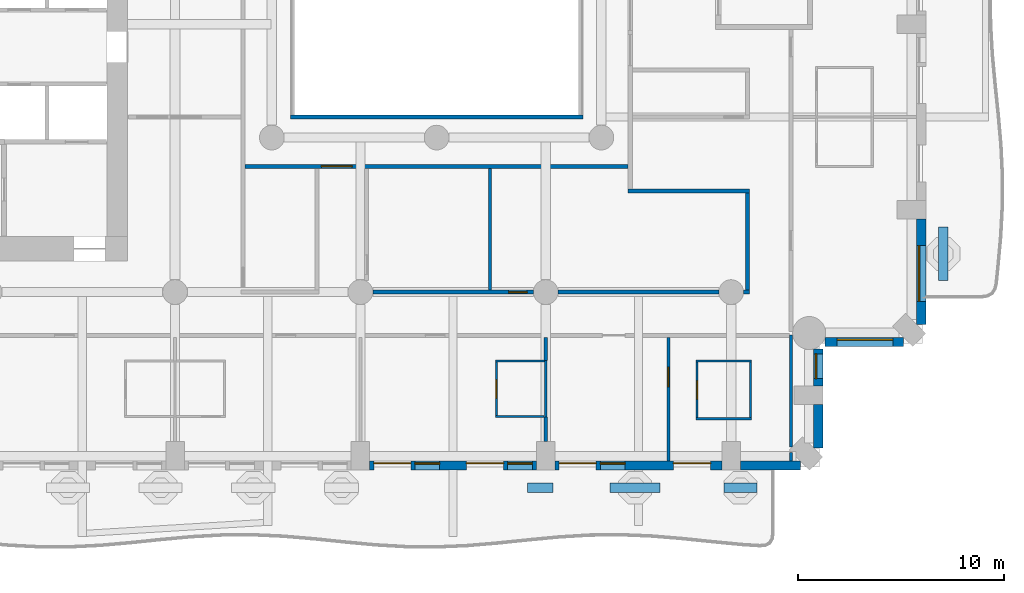
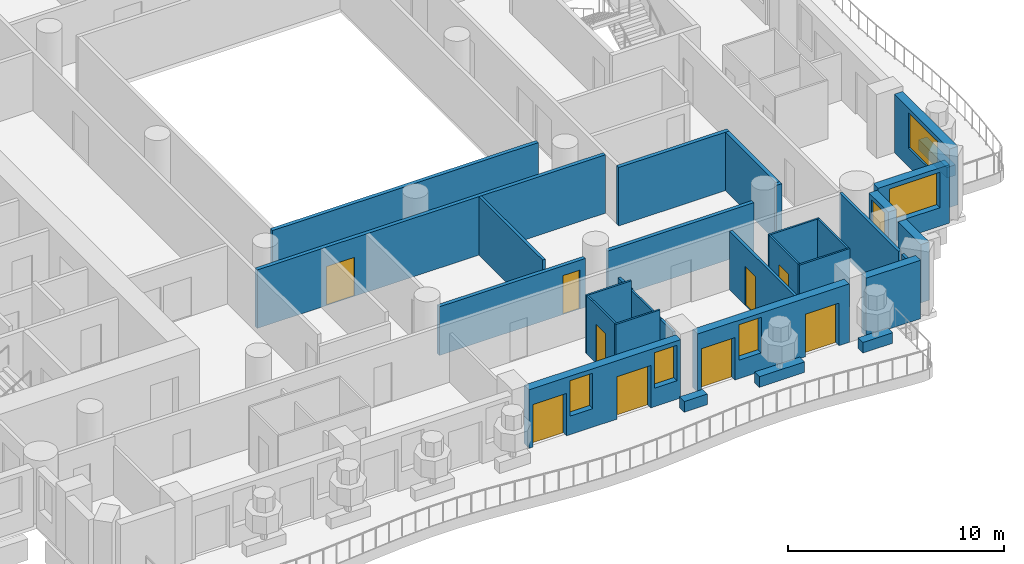
# One storey, part 5 of 19: 32 walls, 9 doors, 6 windows, 15 openings.
"""IFC4 building model written with IfcOpenShell, lengths in metres."""

from ifc_helpers import new_model, si_unit, direction, frame, frame_2d, origin, place, context, subcontext, project, spatial, rectangle, extrude, material, layer, layer_set, type_object, element, fill, save


model = new_model("IFC4")

# Units and contexts
model_context = context("Model", 3, precision=1e-05, world=origin(), true_north=direction((0.0, 1.0)))
body_context = subcontext(model_context, "Body", "Model", "MODEL_VIEW")
ifc_project = project(units=[si_unit("LENGTHUNIT", "METRE"), si_unit("AREAUNIT", "SQUARE_METRE"), si_unit("VOLUMEUNIT", "CUBIC_METRE"), si_unit("PLANEANGLEUNIT", "RADIAN"), si_unit("MASSUNIT", "GRAM", prefix="KILO")], contexts=[model_context])

# Site, building, storey
site_placement = place(None, origin())
site = spatial("IfcSite", under=ifc_project, at=site_placement, CompositionType="ELEMENT")
building_placement = place(site_placement, origin())
building = spatial("IfcBuilding", under=site, at=building_placement, Name="Cypress Arch Tower", CompositionType="ELEMENT")
storey_placement = place(building_placement, frame((0.0, 0.0, 69.89990234375)))
storey = spatial("IfcBuildingStorey", under=building, at=storey_placement, Name="L11", CompositionType="ELEMENT", Elevation=69.89990234375)

# Walls
ifc_material_1 = material(Name="Concrete C40/50, waterproofed", Category="concrete")
ifc_layer_1 = layer(ifc_material_1, 0.449951171875)
ifc_layer_set_1 = layer_set([ifc_layer_1], Name="Balcony planter wall PW450")
wall_type_1 = type_object("IfcWallType", Name="Balcony planter wall PW450", PredefinedType="SOLIDWALL", material=ifc_layer_set_1)
wall_1_placement = place(storey_placement, frame((5.419921875, -27.0, 0.0), z_axis=(0.0, 0.0, 1.0), x_axis=(1.0, 0.0, 0.0)))
element("IfcWall", 1, at=wall_1_placement, inside=storey, type_object=wall_type_1, Name="Balcony planter wall L11-A03.5", PredefinedType="SOLIDWALL", context=body_context, shape_type="SweptSolid", body=[
    extrude(rectangle(XDim=1.22998046875, YDim=0.449951171875, at=frame_2d((0.614990234375, 0.0))), origin(), (0.0, 0.0, 1.0), 0.60009765625),
])
wall_2_placement = place(storey_placement, frame((9.429931640625, -27.0, 0.0), z_axis=(0.0, 0.0, 1.0), x_axis=(1.0, 0.0, 0.0)))
element("IfcWall", 2, at=wall_2_placement, inside=storey, type_object=wall_type_1, Name="Balcony planter wall L11-A03.6", PredefinedType="SOLIDWALL", context=body_context, shape_type="SweptSolid", body=[
    extrude(rectangle(XDim=2.420166015625, YDim=0.449951171875, at=frame_2d((1.2099609375, 0.0))), origin(), (0.0, 0.0, 1.0), 0.60009765625),
])
wall_3_placement = place(storey_placement, frame((14.949951171875, -27.0, 0.0), z_axis=(0.0, 0.0, 1.0), x_axis=(1.0, 0.0, 0.0)))
element("IfcWall", 3, at=wall_3_placement, inside=storey, type_object=wall_type_1, Name="Balcony planter wall L11-A03.7", PredefinedType="SOLIDWALL", context=body_context, shape_type="SweptSolid", body=[
    extrude(rectangle(XDim=1.60009765625, YDim=0.449951171875, at=frame_2d((0.800048828125, 0.0))), origin(), (0.0, 0.0, 1.0), 0.60009765625),
])
wall_4_placement = place(storey_placement, frame((25.60009765625, -16.949951171875, 0.0), z_axis=(0.0, 0.0, 1.0), x_axis=(0.0, 1.0, 0.0)))
element("IfcWall", 4, at=wall_4_placement, inside=storey, type_object=wall_type_1, Name="Balcony planter wall L11-A06.1", PredefinedType="SOLIDWALL", context=body_context, shape_type="SweptSolid", body=[
    extrude(rectangle(XDim=2.6142578125, YDim=0.449951171875, at=frame_2d((1.30712890625, 0.0))), origin(), (0.0, 0.0, 1.0), 0.60009765625),
])

# Wall, openings, doors, windows
ifc_material_2 = material(Name="Brick (red buff blend)", Category="masonry")
ifc_layer_2 = layer(ifc_material_2, 0.449951171875)
ifc_layer_set_2 = layer_set([ifc_layer_2], Name="Brick pier and spandrel wall BW450")
wall_type_2 = type_object("IfcWallType", Name="Brick pier and spandrel wall BW450", PredefinedType="SOLIDWALL", material=ifc_layer_set_2)
wall_5_placement = place(storey_placement, frame((-2.25, -25.925048828125, 0.0), z_axis=(0.0, 0.0, 1.0), x_axis=(1.0, 0.0, 0.0)))
wall_5 = element("IfcWall", 5, at=wall_5_placement, inside=storey, type_object=wall_type_2, Name="Brick wall L11 A03.3", PredefinedType="SOLIDWALL", context=body_context, shape_type="SweptSolid", body=[
    extrude(rectangle(XDim=8.10009765625, YDim=0.449951171875, at=frame_2d((4.050048828125, 0.0))), origin(), (0.0, 0.0, 1.0), 3.300048828125),
])
opening_1_placement = place(wall_5_placement, frame((0.199951171875, 0.0, 0.0)))
opening_1 = element("IfcOpeningElement", 6, at=opening_1_placement, cuts=wall_5, Name="Opening D-L11-A03.3.1", PredefinedType="OPENING", context=body_context, shape_type="SweptSolid", body=[
    extrude(rectangle(XDim=1.800048828125, YDim=2.39990234375, at=frame_2d((0.89990234375, 1.199951171875))), frame((0.0, 0.23486328125, 0.0), z_axis=(0.0, -1.0, 0.0), x_axis=(1.0, 0.0, 0.0)), (0.0, 0.0, 1.0), 0.469970703125),
])
opening_2_placement = place(wall_5_placement, frame((2.199951171875, 0.0, 1.050048828125)))
opening_2 = element("IfcOpeningElement", 7, at=opening_2_placement, cuts=wall_5, Name="Opening W120HD", PredefinedType="OPENING", context=body_context, shape_type="SweptSolid", body=[
    extrude(rectangle(XDim=1.199951171875, YDim=2.0, at=frame_2d((0.60009765625, 1.0))), frame((0.0, 0.23486328125, 0.0), z_axis=(0.0, -1.0, 0.0), x_axis=(1.0, 0.0, 0.0)), (0.0, 0.0, 1.0), 0.469970703125),
])
opening_3_placement = place(wall_5_placement, frame((4.699951171875, 0.0, 0.0)))
opening_3 = element("IfcOpeningElement", 8, at=opening_3_placement, cuts=wall_5, Name="Opening D-L11-A03.3.2", PredefinedType="OPENING", context=body_context, shape_type="SweptSolid", body=[
    extrude(rectangle(XDim=1.800048828125, YDim=2.39990234375, at=frame_2d((0.89990234375, 1.199951171875))), frame((0.0, 0.23486328125, 0.0), z_axis=(0.0, -1.0, 0.0), x_axis=(1.0, 0.0, 0.0)), (0.0, 0.0, 1.0), 0.469970703125),
])
opening_4_placement = place(wall_5_placement, frame((6.699951171875, 0.0, 1.050048828125)))
opening_4 = element("IfcOpeningElement", 9, at=opening_4_placement, cuts=wall_5, Name="Opening W120HD", PredefinedType="OPENING", context=body_context, shape_type="SweptSolid", body=[
    extrude(rectangle(XDim=1.199951171875, YDim=2.0, at=frame_2d((0.60009765625, 1.0))), frame((0.0, 0.23486328125, 0.0), z_axis=(0.0, -1.0, 0.0), x_axis=(1.0, 0.0, 0.0)), (0.0, 0.0, 1.0), 0.469970703125),
])
ifc_material_3 = material(Name="Anodised aluminium, bronze finish, laminated low-emissivity double glazing, large-missile impact rated", Category="aluminium")
door_type_1 = type_object("IfcDoorType", Name="Balcony sliding door 1800x2400", OperationType="SLIDING_TO_LEFT", PredefinedType="DOOR", material=ifc_material_3)
door_1_placement = place(opening_1_placement, origin())
door_1 = element("IfcDoor", 10, at=door_1_placement, inside=storey, type_object=door_type_1, Name="Balcony door L11 A03.3.1", OperationType="SLIDING_TO_LEFT", OverallHeight=2.39990234375, OverallWidth=1.800048828125, PredefinedType="DOOR", context=body_context, shape_type="SweptSolid", body=[
    extrude(rectangle(XDim=1.800048828125, YDim=2.39990234375, at=frame_2d((0.89990234375, 1.199951171875))), frame((0.0, 0.1298828125, 0.0), z_axis=(0.0, -1.0, 0.0), x_axis=(1.0, 0.0, 0.0)), (0.0, 0.0, 1.0), 0.050048828125),
])
fill(opening_1, door_1)
door_2_placement = place(opening_3_placement, origin())
door_2 = element("IfcDoor", 11, at=door_2_placement, inside=storey, type_object=door_type_1, Name="Balcony door L11 A03.3.2", OperationType="SLIDING_TO_LEFT", OverallHeight=2.39990234375, OverallWidth=1.800048828125, PredefinedType="DOOR", context=body_context, shape_type="SweptSolid", body=[
    extrude(rectangle(XDim=1.800048828125, YDim=2.39990234375, at=frame_2d((0.89990234375, 1.199951171875))), frame((0.0, 0.1298828125, 0.0), z_axis=(0.0, -1.0, 0.0), x_axis=(1.0, 0.0, 0.0)), (0.0, 0.0, 1.0), 0.050048828125),
])
fill(opening_3, door_2)
ifc_material_4 = material(Name="Anodised aluminium, bronze finish, laminated low-emissivity double glazing, large-missile impact rated", Category="aluminium")
window_type_1 = type_object("IfcWindowType", Name="Window Hotel 1200x2000 debris-rated", PartitioningType="SINGLE_PANEL", PredefinedType="WINDOW", material=ifc_material_4)
window_1_placement = place(opening_2_placement, origin())
window_1 = element("IfcWindow", 12, at=window_1_placement, inside=storey, type_object=window_type_1, Name="Window L11 A03.3.1", OverallHeight=2.0, OverallWidth=1.199951171875, PartitioningType="SINGLE_PANEL", PredefinedType="WINDOW", context=body_context, shape_type="SweptSolid", body=[
    extrude(rectangle(XDim=1.199951171875, YDim=2.0, at=frame_2d((0.60009765625, 1.0))), frame((0.0, 0.135009765625, 0.0), z_axis=(0.0, -1.0, 0.0), x_axis=(1.0, 0.0, 0.0)), (0.0, 0.0, 1.0), 0.06005859375),
])
fill(opening_2, window_1)
window_2_placement = place(opening_4_placement, origin())
window_2 = element("IfcWindow", 13, at=window_2_placement, inside=storey, type_object=window_type_1, Name="Window L11 A03.3.2", OverallHeight=2.0, OverallWidth=1.199951171875, PartitioningType="SINGLE_PANEL", PredefinedType="WINDOW", context=body_context, shape_type="SweptSolid", body=[
    extrude(rectangle(XDim=1.199951171875, YDim=2.0, at=frame_2d((0.60009765625, 1.0))), frame((0.0, 0.135009765625, 0.0), z_axis=(0.0, -1.0, 0.0), x_axis=(1.0, 0.0, 0.0)), (0.0, 0.0, 1.0), 0.06005859375),
])
fill(opening_4, window_2)

# Wall, openings, doors, window
wall_6_placement = place(storey_placement, frame((6.75, -25.925048828125, 0.0), z_axis=(0.0, 0.0, 1.0), x_axis=(1.0, 0.0, 0.0)))
wall_6 = element("IfcWall", 14, at=wall_6_placement, inside=storey, type_object=wall_type_2, Name="Brick wall L11 A03.4", PredefinedType="SOLIDWALL", context=body_context, shape_type="SweptSolid", body=[
    extrude(rectangle(XDim=8.10009765625, YDim=0.449951171875, at=frame_2d((4.050048828125, 0.0))), origin(), (0.0, 0.0, 1.0), 3.300048828125),
])
opening_5_placement = place(wall_6_placement, frame((0.199951171875, 0.0, 0.0)))
opening_5 = element("IfcOpeningElement", 15, at=opening_5_placement, cuts=wall_6, Name="Opening D-L11-A03.4.1", PredefinedType="OPENING", context=body_context, shape_type="SweptSolid", body=[
    extrude(rectangle(XDim=1.800048828125, YDim=2.39990234375, at=frame_2d((0.89990234375, 1.199951171875))), frame((0.0, 0.23486328125, 0.0), z_axis=(0.0, -1.0, 0.0), x_axis=(1.0, 0.0, 0.0)), (0.0, 0.0, 1.0), 0.469970703125),
])
opening_6_placement = place(wall_6_placement, frame((2.199951171875, 0.0, 1.050048828125)))
opening_6 = element("IfcOpeningElement", 16, at=opening_6_placement, cuts=wall_6, Name="Opening W120HD", PredefinedType="OPENING", context=body_context, shape_type="SweptSolid", body=[
    extrude(rectangle(XDim=1.199951171875, YDim=2.0, at=frame_2d((0.60009765625, 1.0))), frame((0.0, 0.23486328125, 0.0), z_axis=(0.0, -1.0, 0.0), x_axis=(1.0, 0.0, 0.0)), (0.0, 0.0, 1.0), 0.469970703125),
])
opening_7_placement = place(wall_6_placement, frame((5.75, 0.0, 0.0)))
opening_7 = element("IfcOpeningElement", 17, at=opening_7_placement, cuts=wall_6, Name="Opening D-L11-A03.4.2", PredefinedType="OPENING", context=body_context, shape_type="SweptSolid", body=[
    extrude(rectangle(XDim=1.800048828125, YDim=2.39990234375, at=frame_2d((0.89990234375, 1.199951171875))), frame((0.0, 0.23486328125, 0.0), z_axis=(0.0, -1.0, 0.0), x_axis=(1.0, 0.0, 0.0)), (0.0, 0.0, 1.0), 0.469970703125),
])
door_3_placement = place(opening_5_placement, origin())
door_3 = element("IfcDoor", 18, at=door_3_placement, inside=storey, type_object=door_type_1, Name="Balcony door L11 A03.4.1", OperationType="SLIDING_TO_LEFT", OverallHeight=2.39990234375, OverallWidth=1.800048828125, PredefinedType="DOOR", context=body_context, shape_type="SweptSolid", body=[
    extrude(rectangle(XDim=1.800048828125, YDim=2.39990234375, at=frame_2d((0.89990234375, 1.199951171875))), frame((0.0, 0.1298828125, 0.0), z_axis=(0.0, -1.0, 0.0), x_axis=(1.0, 0.0, 0.0)), (0.0, 0.0, 1.0), 0.050048828125),
])
fill(opening_5, door_3)
door_4_placement = place(opening_7_placement, origin())
door_4 = element("IfcDoor", 19, at=door_4_placement, inside=storey, type_object=door_type_1, Name="Balcony door L11 A03.4.2", OperationType="SLIDING_TO_LEFT", OverallHeight=2.39990234375, OverallWidth=1.800048828125, PredefinedType="DOOR", context=body_context, shape_type="SweptSolid", body=[
    extrude(rectangle(XDim=1.800048828125, YDim=2.39990234375, at=frame_2d((0.89990234375, 1.199951171875))), frame((0.0, 0.1298828125, 0.0), z_axis=(0.0, -1.0, 0.0), x_axis=(1.0, 0.0, 0.0)), (0.0, 0.0, 1.0), 0.050048828125),
])
fill(opening_7, door_4)
window_3_placement = place(opening_6_placement, origin())
window_3 = element("IfcWindow", 20, at=window_3_placement, inside=storey, type_object=window_type_1, Name="Window L11 A03.4.1", OverallHeight=2.0, OverallWidth=1.199951171875, PartitioningType="SINGLE_PANEL", PredefinedType="WINDOW", context=body_context, shape_type="SweptSolid", body=[
    extrude(rectangle(XDim=1.199951171875, YDim=2.0, at=frame_2d((0.60009765625, 1.0))), frame((0.0, 0.135009765625, 0.0), z_axis=(0.0, -1.0, 0.0), x_axis=(1.0, 0.0, 0.0)), (0.0, 0.0, 1.0), 0.06005859375),
])
fill(opening_6, window_3)

# Walls
wall_7_placement = place(storey_placement, frame((15.75, -25.925048828125, 0.0), z_axis=(0.0, 0.0, 1.0), x_axis=(1.0, 0.0, 0.0)))
element("IfcWall", 21, at=wall_7_placement, inside=storey, type_object=wall_type_2, Name="Brick wall L11 A03.5", PredefinedType="SOLIDWALL", context=body_context, shape_type="SweptSolid", body=[
    extrude(rectangle(XDim=2.91357421875, YDim=0.449951171875, at=frame_2d((1.456787109375, 0.0))), origin(), (0.0, 0.0, 1.0), 3.300048828125),
])
wall_8_placement = place(storey_placement, frame((19.52490234375, -25.063720703125, 0.0), z_axis=(0.0, 0.0, 1.0), x_axis=(0.0, 1.0, 0.0)))
element("IfcWall", 22, at=wall_8_placement, inside=storey, type_object=wall_type_2, Name="Brick wall L11 A04.0", PredefinedType="SOLIDWALL", context=body_context, shape_type="SweptSolid", body=[
    extrude(rectangle(XDim=2.11376953125, YDim=0.449951171875, at=frame_2d((1.056884765625, 0.0))), origin(), (0.0, 0.0, 1.0), 3.300048828125),
])

# Wall, opening, window
wall_9_placement = place(storey_placement, frame((19.52490234375, -22.050048828125, 0.0), z_axis=(0.0, 0.0, 1.0), x_axis=(0.0, 1.0, 0.0)))
wall_9 = element("IfcWall", 23, at=wall_9_placement, inside=storey, type_object=wall_type_2, Name="Brick wall L11 A04.1", PredefinedType="SOLIDWALL", context=body_context, shape_type="SweptSolid", body=[
    extrude(rectangle(XDim=1.79150390625, YDim=0.449951171875, at=frame_2d((0.895751953125, 0.0))), origin(), (0.0, 0.0, 1.0), 3.300048828125),
])
opening_8_placement = place(wall_9_placement, frame((0.35009765625, 0.0, 1.050048828125)))
opening_8 = element("IfcOpeningElement", 24, at=opening_8_placement, cuts=wall_9, Name="Opening W120H", PredefinedType="OPENING", context=body_context, shape_type="SweptSolid", body=[
    extrude(rectangle(XDim=1.199951171875, YDim=2.0, at=frame_2d((0.60009765625, 1.0))), frame((0.0, 0.23486328125, 0.0), z_axis=(0.0, -1.0, 0.0), x_axis=(1.0, 0.0, 0.0)), (0.0, 0.0, 1.0), 0.469970703125),
])
ifc_material_5 = material(Name="Anodised aluminium, bronze finish, clear low-emissivity double glazing", Category="aluminium")
window_type_2 = type_object("IfcWindowType", Name="Window Hotel 1200x2000", PartitioningType="SINGLE_PANEL", PredefinedType="WINDOW", material=ifc_material_5)
window_4_placement = place(opening_8_placement, origin())
window_4 = element("IfcWindow", 25, at=window_4_placement, inside=storey, type_object=window_type_2, Name="Window L11 A04.1.1", OverallHeight=2.0, OverallWidth=1.199951171875, PartitioningType="SINGLE_PANEL", PredefinedType="WINDOW", context=body_context, shape_type="SweptSolid", body=[
    extrude(rectangle(XDim=1.199951171875, YDim=2.0, at=frame_2d((0.60009765625, 1.0))), frame((0.0, 0.135009765625, 0.0), z_axis=(0.0, -1.0, 0.0), x_axis=(1.0, 0.0, 0.0)), (0.0, 0.0, 1.0), 0.06005859375),
])
fill(opening_8, window_4)

wall_10_placement = place(storey_placement, frame((19.8583984375, -19.925048828125, 0.0), z_axis=(0.0, 0.0, 1.0), x_axis=(1.0, 0.0, 0.0)))
wall_10 = element("IfcWall", 26, at=wall_10_placement, inside=storey, type_object=wall_type_2, Name="Brick wall L11 A05.0", PredefinedType="SOLIDWALL", context=body_context, shape_type="SweptSolid", body=[
    extrude(rectangle(XDim=3.80517578125, YDim=0.449951171875, at=frame_2d((1.902587890625, 0.0))), origin(), (0.0, 0.0, 1.0), 3.300048828125),
])
opening_9_placement = place(wall_10_placement, frame((0.591552734375, 0.0, 1.050048828125)))
opening_9 = element("IfcOpeningElement", 27, at=opening_9_placement, cuts=wall_10, Name="Opening W270H", PredefinedType="OPENING", context=body_context, shape_type="SweptSolid", body=[
    extrude(rectangle(XDim=2.699951171875, YDim=2.0, at=frame_2d((1.35009765625, 1.0))), frame((0.0, 0.23486328125, 0.0), z_axis=(0.0, -1.0, 0.0), x_axis=(1.0, 0.0, 0.0)), (0.0, 0.0, 1.0), 0.469970703125),
])
ifc_material_6 = material(Name="Anodised aluminium, bronze finish, clear low-emissivity double glazing", Category="aluminium")
window_type_3 = type_object("IfcWindowType", Name="Window Hotel 2700x2000", PartitioningType="SINGLE_PANEL", PredefinedType="WINDOW", material=ifc_material_6)
window_5_placement = place(opening_9_placement, origin())
window_5 = element("IfcWindow", 28, at=window_5_placement, inside=storey, type_object=window_type_3, Name="Window L11 A05.0.1", OverallHeight=2.0, OverallWidth=2.699951171875, PartitioningType="SINGLE_PANEL", PredefinedType="WINDOW", context=body_context, shape_type="SweptSolid", body=[
    extrude(rectangle(XDim=2.699951171875, YDim=2.0, at=frame_2d((1.35009765625, 1.0))), frame((0.0, 0.135009765625, 0.0), z_axis=(0.0, -1.0, 0.0), x_axis=(1.0, 0.0, 0.0)), (0.0, 0.0, 1.0), 0.06005859375),
])
fill(opening_9, window_5)

wall_11_placement = place(storey_placement, frame((24.52490234375, -19.063720703125, 0.0), z_axis=(0.0, 0.0, 1.0), x_axis=(0.0, 1.0, 0.0)))
wall_11 = element("IfcWall", 29, at=wall_11_placement, inside=storey, type_object=wall_type_2, Name="Brick wall L11 A06.0", PredefinedType="SOLIDWALL", context=body_context, shape_type="SweptSolid", body=[
    extrude(rectangle(XDim=5.11376953125, YDim=0.449951171875, at=frame_2d((2.556884765625, 0.0))), origin(), (0.0, 0.0, 1.0), 3.300048828125),
])
opening_10_placement = place(wall_11_placement, frame((1.113525390625, 0.0, 1.050048828125)))
opening_10 = element("IfcOpeningElement", 30, at=opening_10_placement, cuts=wall_11, Name="Opening W270HD", PredefinedType="OPENING", context=body_context, shape_type="SweptSolid", body=[
    extrude(rectangle(XDim=2.699951171875, YDim=2.0, at=frame_2d((1.35009765625, 1.0))), frame((0.0, 0.23486328125, 0.0), z_axis=(0.0, -1.0, 0.0), x_axis=(1.0, 0.0, 0.0)), (0.0, 0.0, 1.0), 0.469970703125),
])
ifc_material_7 = material(Name="Anodised aluminium, bronze finish, laminated low-emissivity double glazing, large-missile impact rated", Category="aluminium")
window_type_4 = type_object("IfcWindowType", Name="Window Hotel 2700x2000 debris-rated", PartitioningType="SINGLE_PANEL", PredefinedType="WINDOW", material=ifc_material_7)
window_6_placement = place(opening_10_placement, origin())
window_6 = element("IfcWindow", 31, at=window_6_placement, inside=storey, type_object=window_type_4, Name="Window L11 A06.0.1", OverallHeight=2.0, OverallWidth=2.699951171875, PartitioningType="SINGLE_PANEL", PredefinedType="WINDOW", context=body_context, shape_type="SweptSolid", body=[
    extrude(rectangle(XDim=2.699951171875, YDim=2.0, at=frame_2d((1.35009765625, 1.0))), frame((0.0, 0.135009765625, 0.0), z_axis=(0.0, -1.0, 0.0), x_axis=(1.0, 0.0, 0.0)), (0.0, 0.0, 1.0), 0.06005859375),
])
fill(opening_10, window_6)

# Wall, opening, door
ifc_material_8 = material(Name="Concrete blockwork, plastered, rated", Category="masonry")
ifc_layer_3 = layer(ifc_material_8, 0.199951171875)
ifc_layer_set_3 = layer_set([ifc_layer_3], Name="Corridor wall FW200")
wall_type_3 = type_object("IfcWallType", Name="Corridor wall FW200", PredefinedType="PARTITIONING", material=ifc_layer_set_3)
wall_12_placement = place(storey_placement, frame((-8.300048828125, -11.39990234375, 0.0), z_axis=(0.0, 0.0, 1.0), x_axis=(1.0, 0.0, 0.0)))
wall_12 = element("IfcWall", 32, at=wall_12_placement, inside=storey, type_object=wall_type_3, Name="Corridor wall", PredefinedType="PARTITIONING", context=body_context, shape_type="SweptSolid", body=[
    extrude(rectangle(XDim=18.60009765625, YDim=0.199951171875, at=frame_2d((9.300048828125, 0.0))), origin(), (0.0, 0.0, 1.0), 3.300048828125),
])
opening_11_placement = place(wall_12_placement, frame((3.699951171875, 0.0, 0.0)))
opening_11 = element("IfcOpeningElement", 33, at=opening_11_placement, cuts=wall_12, Name="Opening D04", PredefinedType="OPENING", context=body_context, shape_type="SweptSolid", body=[
    extrude(rectangle(XDim=1.5, YDim=2.199951171875, at=frame_2d((0.75, 1.10009765625))), frame((0.0, 0.10986328125, 0.0), z_axis=(0.0, -1.0, 0.0), x_axis=(1.0, 0.0, 0.0)), (0.0, 0.0, 1.0), 0.219970703125),
])
ifc_material_9 = material(Name="Timber double door", Category="wood")
door_type_2 = type_object("IfcDoorType", Name="Double door D04 1500x2200", OperationType="DOUBLE_DOOR_SINGLE_SWING", PredefinedType="DOOR", material=ifc_material_9)
door_5_placement = place(opening_11_placement, origin())
door_5 = element("IfcDoor", 34, at=door_5_placement, inside=storey, type_object=door_type_2, Name="Double door", OperationType="DOUBLE_DOOR_SINGLE_SWING", OverallHeight=2.199951171875, OverallWidth=1.5, PredefinedType="DOOR", context=body_context, shape_type="SweptSolid", body=[
    extrude(rectangle(XDim=1.5, YDim=2.199951171875, at=frame_2d((0.75, 1.10009765625))), frame((0.0, 0.02490234375, 0.0), z_axis=(0.0, -1.0, 0.0), x_axis=(1.0, 0.0, 0.0)), (0.0, 0.0, 1.0), 0.050048828125),
])
fill(opening_11, door_5)

# Wall
wall_13_placement = place(storey_placement, frame((-6.10009765625, -9.0, 0.0), z_axis=(0.0, 0.0, 1.0), x_axis=(1.0, 0.0, 0.0)))
element("IfcWall", 35, at=wall_13_placement, inside=storey, type_object=wall_type_3, Name="Corridor wall", PredefinedType="PARTITIONING", context=body_context, shape_type="SweptSolid", body=[
    extrude(rectangle(XDim=14.2001953125, YDim=0.199951171875, at=frame_2d((7.10009765625, 0.0))), origin(), (0.0, 0.0, 1.0), 3.300048828125),
])

# Wall, opening, door
wall_14_placement = place(storey_placement, frame((-2.10009765625, -17.5, 0.0), z_axis=(0.0, 0.0, 1.0), x_axis=(1.0, 0.0, 0.0)))
wall_14 = element("IfcWall", 36, at=wall_14_placement, inside=storey, type_object=wall_type_3, Name="Corridor wall", PredefinedType="PARTITIONING", context=body_context, shape_type="SweptSolid", body=[
    extrude(rectangle(XDim=7.800048828125, YDim=0.199951171875, at=frame_2d((3.89990234375, 0.0))), origin(), (0.0, 0.0, 1.0), 2.75),
])
opening_12_placement = place(wall_14_placement, frame((6.60009765625, 0.0, 0.0)))
opening_12 = element("IfcOpeningElement", 37, at=opening_12_placement, cuts=wall_14, Name="Opening D05", PredefinedType="OPENING", context=body_context, shape_type="SweptSolid", body=[
    extrude(rectangle(XDim=0.89990234375, YDim=2.199951171875, at=frame_2d((0.449951171875, 1.10009765625))), frame((0.0, 0.10986328125, 0.0), z_axis=(0.0, -1.0, 0.0), x_axis=(1.0, 0.0, 0.0)), (0.0, 0.0, 1.0), 0.219970703125),
])
ifc_material_10 = material(Name="Timber flush door", Category="wood")
door_type_3 = type_object("IfcDoorType", Name="Service door D05 900x2200", OperationType="SINGLE_SWING_LEFT", PredefinedType="DOOR", material=ifc_material_10)
door_6_placement = place(opening_12_placement, origin())
door_6 = element("IfcDoor", 38, at=door_6_placement, inside=storey, type_object=door_type_3, Name="Service door", OperationType="SINGLE_SWING_RIGHT", OverallHeight=2.199951171875, OverallWidth=0.89990234375, PredefinedType="DOOR", context=body_context, shape_type="SweptSolid", body=[
    extrude(rectangle(XDim=0.89990234375, YDim=2.199951171875, at=frame_2d((0.449951171875, 1.10009765625))), frame((0.0, 0.02490234375, 0.0), z_axis=(0.0, -1.0, 0.0), x_axis=(1.0, 0.0, 0.0)), (0.0, 0.0, 1.0), 0.050048828125),
])
fill(opening_12, door_6)

# Walls
wall_15_placement = place(storey_placement, frame((6.89990234375, -17.5, 0.0), z_axis=(0.0, 0.0, 1.0), x_axis=(1.0, 0.0, 0.0)))
element("IfcWall", 39, at=wall_15_placement, inside=storey, type_object=wall_type_3, Name="Corridor wall", PredefinedType="PARTITIONING", context=body_context, shape_type="SweptSolid", body=[
    extrude(rectangle(XDim=7.800048828125, YDim=0.199951171875, at=frame_2d((3.89990234375, 0.0))), origin(), (0.0, 0.0, 1.0), 2.75),
])
wall_16_placement = place(storey_placement, frame((15.89990234375, -17.5, 0.0), z_axis=(0.0, 0.0, 1.0), x_axis=(1.0, 0.0, 0.0)))
element("IfcWall", 40, at=wall_16_placement, inside=storey, type_object=wall_type_3, Name="Corridor wall", PredefinedType="PARTITIONING", context=body_context, shape_type="SweptSolid", body=[
    extrude(rectangle(XDim=0.300048828125, YDim=0.199951171875, at=frame_2d((0.14990234375, 0.0))), origin(), (0.0, 0.0, 1.0), 3.300048828125),
])
wall_17_placement = place(storey_placement, frame((10.299072265625, -12.60009765625, 0.0), z_axis=(0.0, 0.0, 1.0), x_axis=(1.0, 0.0, 0.0)))
element("IfcWall", 41, at=wall_17_placement, inside=storey, type_object=wall_type_3, Name="Corridor wall", PredefinedType="PARTITIONING", context=body_context, shape_type="SweptSolid", body=[
    extrude(rectangle(XDim=5.90087890625, YDim=0.199951171875, at=frame_2d((2.950439453125, 0.0))), origin(), (0.0, 0.0, 1.0), 3.300048828125),
])
wall_18_placement = place(storey_placement, frame((16.10009765625, -17.39990234375, 0.0), z_axis=(0.0, 0.0, 1.0), x_axis=(0.0, 1.0, 0.0)))
element("IfcWall", 42, at=wall_18_placement, inside=storey, type_object=wall_type_3, Name="Corridor wall", PredefinedType="PARTITIONING", context=body_context, shape_type="SweptSolid", body=[
    extrude(rectangle(XDim=4.699951171875, YDim=0.199951171875, at=frame_2d((2.35009765625, 0.0))), origin(), (0.0, 0.0, 1.0), 3.300048828125),
])
ifc_material_11 = material(Name="Blockwork, plastered both sides", Category="masonry")
ifc_layer_4 = layer(ifc_material_11, 0.14990234375)
ifc_layer_set_4 = layer_set([ifc_layer_4], Name="Partition PW150")
wall_type_4 = type_object("IfcWallType", Name="Partition PW150", PredefinedType="PARTITIONING", material=ifc_layer_set_4)
wall_19_placement = place(storey_placement, frame((3.60009765625, -17.39990234375, 0.0), z_axis=(0.0, 0.0, 1.0), x_axis=(0.0, 1.0, 0.0)))
element("IfcWall", 43, at=wall_19_placement, inside=storey, type_object=wall_type_4, Name="Partition", PredefinedType="PARTITIONING", context=body_context, shape_type="SweptSolid", body=[
    extrude(rectangle(XDim=5.89990234375, YDim=0.14990234375, at=frame_2d((2.949951171875, 0.0))), origin(), (0.0, 0.0, 1.0), 3.300048828125),
])
wall_20_placement = place(storey_placement, frame((6.300048828125, -24.75, 0.0), z_axis=(0.0, 0.0, 1.0), x_axis=(0.0, 1.0, 0.0)))
element("IfcWall", 44, at=wall_20_placement, inside=storey, type_object=wall_type_4, Name="Partition", PredefinedType="PARTITIONING", context=body_context, shape_type="SweptSolid", body=[
    extrude(rectangle(XDim=1.179931640625, YDim=0.14990234375, at=frame_2d((0.58984375, 0.0))), origin(), (0.0, 0.0, 1.0), 2.75),
])
wall_21_placement = place(storey_placement, frame((6.300048828125, -20.830078125, 0.0), z_axis=(0.0, 0.0, 1.0), x_axis=(0.0, 1.0, 0.0)))
element("IfcWall", 45, at=wall_21_placement, inside=storey, type_object=wall_type_4, Name="Partition", PredefinedType="PARTITIONING", context=body_context, shape_type="SweptSolid", body=[
    extrude(rectangle(XDim=1.130126953125, YDim=0.14990234375, at=frame_2d((0.56494140625, 0.0))), origin(), (0.0, 0.0, 1.0), 2.75),
])

# Wall, opening, door
wall_22_placement = place(storey_placement, frame((12.25, -25.699951171875, 0.0), z_axis=(0.0, 0.0, 1.0), x_axis=(0.0, 1.0, 0.0)))
wall_22 = element("IfcWall", 46, at=wall_22_placement, inside=storey, type_object=wall_type_4, Name="Partition", PredefinedType="PARTITIONING", context=body_context, shape_type="SweptSolid", body=[
    extrude(rectangle(XDim=6.0, YDim=0.14990234375, at=frame_2d((3.0, 0.0))), origin(), (0.0, 0.0, 1.0), 3.300048828125),
])
opening_13_placement = place(wall_22_placement, frame((3.60009765625, 0.0, 0.0)))
opening_13 = element("IfcOpeningElement", 47, at=opening_13_placement, cuts=wall_22, Name="Opening D12", PredefinedType="OPENING", context=body_context, shape_type="SweptSolid", body=[
    extrude(rectangle(XDim=0.949951171875, YDim=2.199951171875, at=frame_2d((0.47509765625, 1.10009765625))), frame((0.0, 0.0849609375, 0.0), z_axis=(0.0, -1.0, 0.0), x_axis=(1.0, 0.0, 0.0)), (0.0, 0.0, 1.0), 0.169921875),
])
ifc_material_12 = material(Name="Timber flush door", Category="wood")
door_type_4 = type_object("IfcDoorType", Name="Room door D12 950x2200", OperationType="SINGLE_SWING_LEFT", PredefinedType="DOOR", material=ifc_material_12)
door_7_placement = place(opening_13_placement, origin())
door_7 = element("IfcDoor", 48, at=door_7_placement, inside=storey, type_object=door_type_4, Name="Room door", OperationType="SINGLE_SWING_RIGHT", OverallHeight=2.199951171875, OverallWidth=0.949951171875, PredefinedType="DOOR", context=body_context, shape_type="SweptSolid", body=[
    extrude(rectangle(XDim=0.949951171875, YDim=2.199951171875, at=frame_2d((0.47509765625, 1.10009765625))), frame((0.0, 0.02490234375, 0.0), z_axis=(0.0, -1.0, 0.0), x_axis=(1.0, 0.0, 0.0)), (0.0, 0.0, 1.0), 0.050048828125),
])
fill(opening_13, door_7)

# Walls
wall_23_placement = place(storey_placement, frame((18.199951171875, -25.699951171875, 0.0), z_axis=(0.0, 0.0, 1.0), x_axis=(0.0, 1.0, 0.0)))
element("IfcWall", 49, at=wall_23_placement, inside=storey, type_object=wall_type_4, Name="Partition", PredefinedType="PARTITIONING", context=body_context, shape_type="SweptSolid", body=[
    extrude(rectangle(XDim=0.403564453125, YDim=0.14990234375, at=frame_2d((0.20166015625, 0.0))), origin(), (0.0, 0.0, 1.0), 3.300048828125),
])
wall_24_placement = place(storey_placement, frame((18.199951171875, -25.023681640625, 0.0), z_axis=(0.0, 0.0, 1.0), x_axis=(0.0, 1.0, 0.0)))
element("IfcWall", 50, at=wall_24_placement, inside=storey, type_object=wall_type_4, Name="Partition", PredefinedType="PARTITIONING", context=body_context, shape_type="SweptSolid", body=[
    extrude(rectangle(XDim=5.443603515625, YDim=0.14990234375, at=frame_2d((2.7216796875, 0.0))), origin(), (0.0, 0.0, 1.0), 3.300048828125),
])

# Wall, opening, door
ifc_material_13 = material(Name="Moisture resistant board on steel studs, tiled", Category="steel")
ifc_layer_5 = layer(ifc_material_13, 0.10009765625)
ifc_layer_set_5 = layer_set([ifc_layer_5], Name="Wet wall PW100")
wall_type_5 = type_object("IfcWallType", Name="Wet wall PW100", PredefinedType="PARTITIONING", material=ifc_layer_set_5)
wall_25_placement = place(storey_placement, frame((3.904052734375, -23.5, 0.0), z_axis=(0.0, 0.0, 1.0), x_axis=(0.0, 1.0, 0.0)))
wall_25 = element("IfcWall", 51, at=wall_25_placement, inside=storey, type_object=wall_type_5, Name="Wet wall", PredefinedType="PARTITIONING", context=body_context, shape_type="SweptSolid", body=[
    extrude(rectangle(XDim=2.60009765625, YDim=0.10009765625, at=frame_2d((1.300048828125, 0.0))), origin(), (0.0, 0.0, 1.0), 3.300048828125),
])
opening_14_placement = place(wall_25_placement, frame((0.85009765625, 0.0, 0.0)))
opening_14 = element("IfcOpeningElement", 52, at=opening_14_placement, cuts=wall_25, Name="Opening D03", PredefinedType="OPENING", context=body_context, shape_type="SweptSolid", body=[
    extrude(rectangle(XDim=0.89990234375, YDim=2.199951171875, at=frame_2d((0.449951171875, 1.10009765625))), frame((0.0, 0.06005859375, 0.0), z_axis=(0.0, -1.0, 0.0), x_axis=(1.0, 0.0, 0.0)), (0.0, 0.0, 1.0), 0.1201171875),
])
ifc_material_14 = material(Name="Timber flush door, moisture resistant", Category="wood")
door_type_5 = type_object("IfcDoorType", Name="Bathroom door D03 900x2200", OperationType="SINGLE_SWING_LEFT", PredefinedType="DOOR", material=ifc_material_14)
door_8_placement = place(opening_14_placement, origin())
door_8 = element("IfcDoor", 53, at=door_8_placement, inside=storey, type_object=door_type_5, Name="Bathroom door", OperationType="SINGLE_SWING_LEFT", OverallHeight=2.199951171875, OverallWidth=0.89990234375, PredefinedType="DOOR", context=body_context, shape_type="SweptSolid", body=[
    extrude(rectangle(XDim=0.89990234375, YDim=2.199951171875, at=frame_2d((0.449951171875, 1.10009765625))), frame((0.0, 0.02490234375, 0.0), z_axis=(0.0, -1.0, 0.0), x_axis=(1.0, 0.0, 0.0)), (0.0, 0.0, 1.0), 0.050048828125),
])
fill(opening_14, door_8)

# Walls
wall_26_placement = place(storey_placement, frame((3.85400390625, -23.550048828125, 0.0), z_axis=(0.0, 0.0, 1.0), x_axis=(1.0, 0.0, 0.0)))
element("IfcWall", 54, at=wall_26_placement, inside=storey, type_object=wall_type_5, Name="Wet wall", PredefinedType="PARTITIONING", context=body_context, shape_type="SweptSolid", body=[
    extrude(rectangle(XDim=2.37109375, YDim=0.10009765625, at=frame_2d((1.185546875, 0.0))), origin(), (0.0, 0.0, 1.0), 3.300048828125),
])
wall_27_placement = place(storey_placement, frame((3.85400390625, -20.85009765625, 0.0), z_axis=(0.0, 0.0, 1.0), x_axis=(1.0, 0.0, 0.0)))
element("IfcWall", 55, at=wall_27_placement, inside=storey, type_object=wall_type_5, Name="Wet wall", PredefinedType="PARTITIONING", context=body_context, shape_type="SweptSolid", body=[
    extrude(rectangle(XDim=2.39599609375, YDim=0.10009765625, at=frame_2d((1.197998046875, 0.0))), origin(), (0.0, 0.0, 1.0), 3.300048828125),
])
wall_28_placement = place(storey_placement, frame((6.300048828125, -23.570068359375, 0.0), z_axis=(0.0, 0.0, 1.0), x_axis=(0.0, 1.0, 0.0)))
element("IfcWall", 56, at=wall_28_placement, inside=storey, type_object=wall_type_5, Name="Wet wall", PredefinedType="PARTITIONING", context=body_context, shape_type="SweptSolid", body=[
    extrude(rectangle(XDim=2.739990234375, YDim=0.10009765625, at=frame_2d((1.3701171875, 0.0))), origin(), (0.0, 0.0, 1.0), 2.75),
])

# Wall, opening, door
wall_29_placement = place(storey_placement, frame((13.64599609375, -23.60009765625, 0.0), z_axis=(0.0, 0.0, 1.0), x_axis=(0.0, 1.0, 0.0)))
wall_29 = element("IfcWall", 57, at=wall_29_placement, inside=storey, type_object=wall_type_5, Name="Wet wall", PredefinedType="PARTITIONING", context=body_context, shape_type="SweptSolid", body=[
    extrude(rectangle(XDim=2.7001953125, YDim=0.10009765625, at=frame_2d((1.35009765625, 0.0))), origin(), (0.0, 0.0, 1.0), 3.300048828125),
])
opening_15_placement = place(wall_29_placement, frame((0.89990234375, 0.0, 0.0)))
opening_15 = element("IfcOpeningElement", 58, at=opening_15_placement, cuts=wall_29, Name="Opening D03", PredefinedType="OPENING", context=body_context, shape_type="SweptSolid", body=[
    extrude(rectangle(XDim=0.89990234375, YDim=2.199951171875, at=frame_2d((0.449951171875, 1.10009765625))), frame((0.0, 0.06005859375, 0.0), z_axis=(0.0, -1.0, 0.0), x_axis=(1.0, 0.0, 0.0)), (0.0, 0.0, 1.0), 0.1201171875),
])
door_9_placement = place(opening_15_placement, origin())
door_9 = element("IfcDoor", 59, at=door_9_placement, inside=storey, type_object=door_type_5, Name="Bathroom door", OperationType="SINGLE_SWING_LEFT", OverallHeight=2.199951171875, OverallWidth=0.89990234375, PredefinedType="DOOR", context=body_context, shape_type="SweptSolid", body=[
    extrude(rectangle(XDim=0.89990234375, YDim=2.199951171875, at=frame_2d((0.449951171875, 1.10009765625))), frame((0.0, 0.02490234375, 0.0), z_axis=(0.0, -1.0, 0.0), x_axis=(1.0, 0.0, 0.0)), (0.0, 0.0, 1.0), 0.050048828125),
])
fill(opening_15, door_9)

# Walls
for number, where, z_axis, x_axis, name in (
    (60, (13.595947265625, -23.64990234375, 0.0), (0.0, 0.0, 1.0), (1.0, 0.0, 0.0), "Wet wall"),
    (61, (13.595947265625, -20.85009765625, 0.0), (0.0, 0.0, 1.0), (1.0, 0.0, 0.0), "Wet wall"),
):
    element("IfcWall", number, at=place(storey_placement, frame(where, z_axis=z_axis, x_axis=x_axis)), inside=storey, type_object=wall_type_5, Name=name, PredefinedType="PARTITIONING", context=body_context, shape_type="SweptSolid", body=[
        extrude(rectangle(XDim=2.699951171875, YDim=0.10009765625, at=frame_2d((1.35009765625, 0.0))), origin(), (0.0, 0.0, 1.0), 3.300048828125),
    ])
wall_30_placement = place(storey_placement, frame((16.24609375, -23.60009765625, 0.0), z_axis=(0.0, 0.0, 1.0), x_axis=(0.0, 1.0, 0.0)))
element("IfcWall", 62, at=wall_30_placement, inside=storey, type_object=wall_type_5, Name="Wet wall", PredefinedType="PARTITIONING", context=body_context, shape_type="SweptSolid", body=[
    extrude(rectangle(XDim=2.7001953125, YDim=0.10009765625, at=frame_2d((1.35009765625, 0.0))), origin(), (0.0, 0.0, 1.0), 3.300048828125),
])

save(model, "model.ifc")
